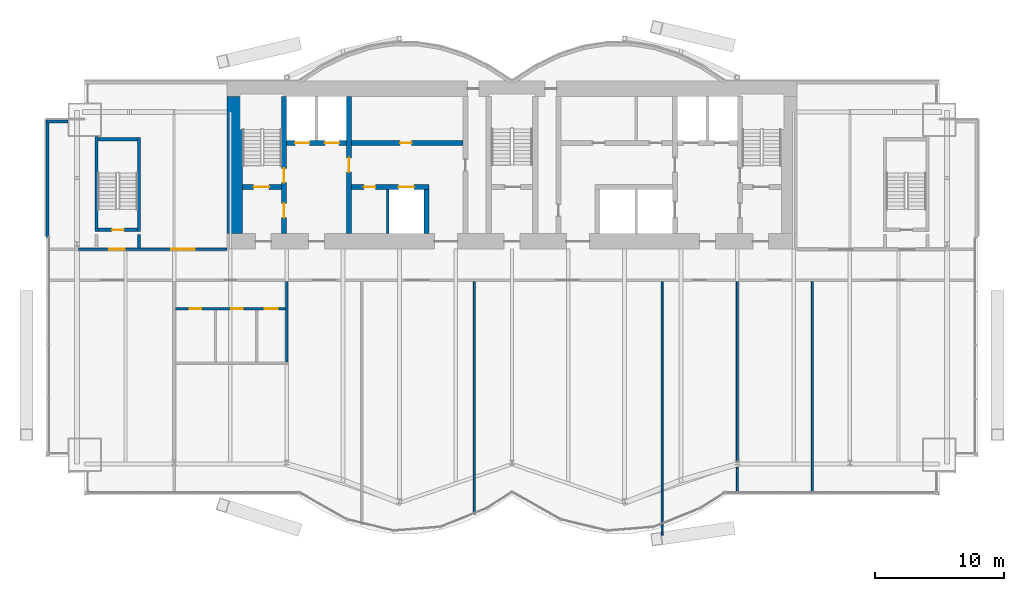
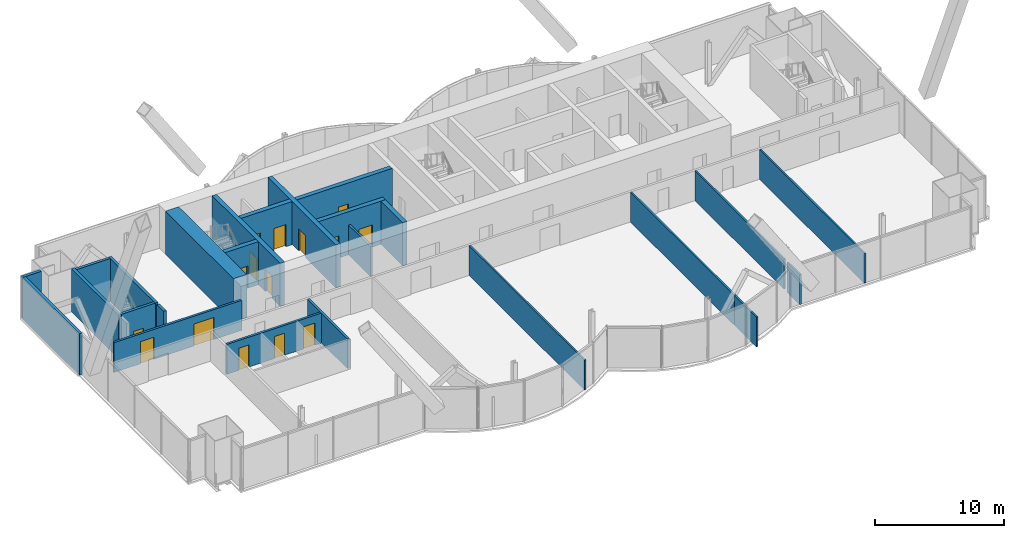
# One storey, part 18 of 24: 24 walls, 15 doors, 15 openings.
"""IFC4 building model written with IfcOpenShell, lengths in metres."""

from ifc_helpers import new_model, si_unit, direction, frame, frame_2d, origin, place, context, subcontext, project, spatial, rectangle, extrude, material, layer, layer_set, layer_usage, type_object, element, fill, save


model = new_model("IFC4")

# Units and contexts
model_context = context("Model", 3, precision=1e-05, world=origin(), true_north=direction((0.0, 1.0)))
body_context = subcontext(model_context, "Body", "Model", "MODEL_VIEW")
ifc_project = project(units=[si_unit("LENGTHUNIT", "METRE"), si_unit("AREAUNIT", "SQUARE_METRE"), si_unit("VOLUMEUNIT", "CUBIC_METRE"), si_unit("PLANEANGLEUNIT", "RADIAN"), si_unit("MASSUNIT", "GRAM", prefix="KILO")], contexts=[model_context])

# Site, building, storey
site_placement = place(None, origin())
site = spatial("IfcSite", under=ifc_project, at=site_placement, CompositionType="ELEMENT")
building_placement = place(site_placement, origin())
building = spatial("IfcBuilding", under=site, at=building_placement, Name="Bicima Exchange Tower", CompositionType="ELEMENT")
storey_placement = place(building_placement, frame((0.0, 0.0, 211.39990234375)))
storey = spatial("IfcBuildingStorey", under=building, at=storey_placement, Name="L47", CompositionType="ELEMENT", Elevation=211.39990234375)

# Wall
ifc_material_1 = material(Name="Gypsum board partition")
ifc_layer_1 = layer(ifc_material_1, 0.199951171875)
ifc_layer_set_1 = layer_set([ifc_layer_1], Name="Gypsum board partition")
wall_type_1 = type_object("IfcWallType", Name="Fire-rated gypsum partition 200 EI120", PredefinedType="PARTITIONING", material=ifc_layer_set_1)
wall_1_placement = place(storey_placement, frame((-9.60009765625, -11.800048828125, 0.0), z_axis=(0.0, 0.0, 1.0), x_axis=(0.0, 1.0, 0.0)))
element("IfcWall", 1, at=wall_1_placement, inside=storey, type_object=wall_type_1, Name="partition wall 11", PredefinedType="PARTITIONING", context=body_context, shape_type="SweptSolid", body=[
    extrude(rectangle(XDim=3.400146484375, YDim=0.199951171875, at=frame_2d((1.7001953125, 0.0))), origin(), (0.0, 0.0, 1.0), 2.840576171875),
])

# Wall, openings, doors
ifc_layer_2 = layer(ifc_material_1, 0.199951171875)
ifc_layer_set_2 = layer_set([ifc_layer_2], Name="Gypsum board partition")
wall_type_2 = type_object("IfcWallType", Name="Fire-rated gypsum partition 200 EI60", PredefinedType="PARTITIONING", material=ifc_layer_set_2)
wall_2_placement = place(storey_placement, frame((-26.0, -17.60009765625, 0.0), z_axis=(0.0, 0.0, 1.0), x_axis=(1.0, 0.0, 0.0)))
wall_2 = element("IfcWall", 2, at=wall_2_placement, inside=storey, type_object=wall_type_2, Name="partition wall 2", PredefinedType="PARTITIONING", context=body_context, shape_type="SweptSolid", body=[
    extrude(rectangle(XDim=8.5, YDim=0.199951171875, at=frame_2d((4.25, 0.0))), origin(), (0.0, 0.0, 1.0), 2.840576171875),
])
opening_1_placement = place(wall_2_placement, frame((1.10009765625, 0.0, 0.0)))
opening_1 = element("IfcOpeningElement", 3, at=opening_1_placement, cuts=wall_2, Name="Opening L47-009", PredefinedType="OPENING", context=body_context, shape_type="SweptSolid", body=[
    extrude(rectangle(XDim=0.89990234375, YDim=2.10009765625, at=frame_2d((0.449951171875, 1.050048828125))), frame((0.0, 0.11181640625, 0.0), z_axis=(0.0, -1.0, 0.0), x_axis=(1.0, 0.0, 0.0)), (0.0, 0.0, 1.0), 0.223876953125),
])
opening_2_placement = place(wall_2_placement, frame((4.300048828125, 0.0, 0.0)))
opening_2 = element("IfcOpeningElement", 4, at=opening_2_placement, cuts=wall_2, Name="Opening L47-010", PredefinedType="OPENING", context=body_context, shape_type="SweptSolid", body=[
    extrude(rectangle(XDim=0.89990234375, YDim=2.10009765625, at=frame_2d((0.449951171875, 1.050048828125))), frame((0.0, 0.11181640625, 0.0), z_axis=(0.0, -1.0, 0.0), x_axis=(1.0, 0.0, 0.0)), (0.0, 0.0, 1.0), 0.223876953125),
])
opening_3_placement = place(wall_2_placement, frame((6.89990234375, 0.0, 0.0)))
opening_3 = element("IfcOpeningElement", 5, at=opening_3_placement, cuts=wall_2, Name="Opening L47-011", PredefinedType="OPENING", context=body_context, shape_type="SweptSolid", body=[
    extrude(rectangle(XDim=1.0, YDim=2.10009765625, at=frame_2d((0.5, 1.050048828125))), frame((0.0, 0.11181640625, 0.0), z_axis=(0.0, -1.0, 0.0), x_axis=(1.0, 0.0, 0.0)), (0.0, 0.0, 1.0), 0.223876953125),
])
ifc_material_2 = material(Name="Steel fire door leaf", Category="steel")
door_type_1 = type_object("IfcDoorType", Name="Door 1000 swing FD30S", OperationType="SINGLE_SWING_LEFT", PredefinedType="DOOR", material=ifc_material_2)
door_1_placement = place(opening_3_placement, frame((1.0, 0.0, 0.0), z_axis=(0.0, 0.0, 1.0), x_axis=(-1.0, 0.0, 0.0)))
door_1 = element("IfcDoor", 6, at=door_1_placement, inside=storey, type_object=door_type_1, Name="Door", OperationType="SINGLE_SWING_RIGHT", OverallHeight=2.10009765625, OverallWidth=1.0, PredefinedType="DOOR", context=body_context, shape_type="SweptSolid", body=[
    extrude(rectangle(XDim=1.0, YDim=2.10009765625, at=frame_2d((0.5, 1.050048828125))), frame((0.0, 0.02490234375, 0.0), z_axis=(0.0, -1.0, 0.0), x_axis=(1.0, 0.0, 0.0)), (0.0, 0.0, 1.0), 0.050048828125),
])
fill(opening_3, door_1)
door_type_2 = type_object("IfcDoorType", Name="Door 900 swing FD30S", OperationType="SINGLE_SWING_LEFT", PredefinedType="DOOR", material=ifc_material_2)
door_2_placement = place(opening_1_placement, frame((0.89990234375, 0.0, 0.0), z_axis=(0.0, 0.0, 1.0), x_axis=(-1.0, 0.0, 0.0)))
door_2 = element("IfcDoor", 7, at=door_2_placement, inside=storey, type_object=door_type_2, Name="Door", OperationType="SINGLE_SWING_RIGHT", OverallHeight=2.10009765625, OverallWidth=0.89990234375, PredefinedType="DOOR", context=body_context, shape_type="SweptSolid", body=[
    extrude(rectangle(XDim=0.89990234375, YDim=2.10009765625, at=frame_2d((0.449951171875, 1.050048828125))), frame((0.0, 0.02490234375, 0.0), z_axis=(0.0, -1.0, 0.0), x_axis=(1.0, 0.0, 0.0)), (0.0, 0.0, 1.0), 0.050048828125),
])
fill(opening_1, door_2)
door_3_placement = place(opening_2_placement, frame((0.89990234375, 0.0, 0.0), z_axis=(0.0, 0.0, 1.0), x_axis=(-1.0, 0.0, 0.0)))
door_3 = element("IfcDoor", 8, at=door_3_placement, inside=storey, type_object=door_type_2, Name="Door", OperationType="SINGLE_SWING_LEFT", OverallHeight=2.10009765625, OverallWidth=0.89990234375, PredefinedType="DOOR", context=body_context, shape_type="SweptSolid", body=[
    extrude(rectangle(XDim=0.89990234375, YDim=2.10009765625, at=frame_2d((0.449951171875, 1.050048828125))), frame((0.0, 0.02490234375, 0.0), z_axis=(0.0, -1.0, 0.0), x_axis=(1.0, 0.0, 0.0)), (0.0, 0.0, 1.0), 0.050048828125),
])
fill(opening_2, door_3)

wall_3_placement = place(storey_placement, frame((-33.47998046875, -13.0, 0.0), z_axis=(0.0, 0.0, 1.0), x_axis=(1.0, 0.0, 0.0)))
wall_3 = element("IfcWall", 9, at=wall_3_placement, inside=storey, type_object=wall_type_2, Name="partition wall 5", PredefinedType="PARTITIONING", context=body_context, shape_type="SweptSolid", body=[
    extrude(rectangle(XDim=11.47998046875, YDim=0.199951171875, at=frame_2d((5.739990234375, 0.0))), origin(), (0.0, 0.0, 1.0), 2.840576171875),
])
opening_4_placement = place(wall_3_placement, frame((2.3798828125, 0.0, 0.0)))
opening_4 = element("IfcOpeningElement", 10, at=opening_4_placement, cuts=wall_3, Name="Opening L47-001", PredefinedType="OPENING", context=body_context, shape_type="SweptSolid", body=[
    extrude(rectangle(XDim=1.199951171875, YDim=2.10009765625, at=frame_2d((0.60009765625, 1.050048828125))), frame((0.0, 0.11181640625, 0.0), z_axis=(0.0, -1.0, 0.0), x_axis=(1.0, 0.0, 0.0)), (0.0, 0.0, 1.0), 0.223876953125),
])
opening_5_placement = place(wall_3_placement, frame((7.179931640625, 0.0, 0.0)))
opening_5 = element("IfcOpeningElement", 11, at=opening_5_placement, cuts=wall_3, Name="Opening L47-005", PredefinedType="OPENING", context=body_context, shape_type="SweptSolid", body=[
    extrude(rectangle(XDim=1.800048828125, YDim=2.10009765625, at=frame_2d((0.89990234375, 1.050048828125))), frame((0.0, 0.11181640625, 0.0), z_axis=(0.0, -1.0, 0.0), x_axis=(1.0, 0.0, 0.0)), (0.0, 0.0, 1.0), 0.223876953125),
])
door_type_3 = type_object("IfcDoorType", Name="Door 1200 swing FD30S", OperationType="SINGLE_SWING_LEFT", PredefinedType="DOOR", material=ifc_material_2)
door_4_placement = place(opening_4_placement, origin())
door_4 = element("IfcDoor", 12, at=door_4_placement, inside=storey, type_object=door_type_3, Name="Door", OperationType="SINGLE_SWING_LEFT", OverallHeight=2.10009765625, OverallWidth=1.199951171875, PredefinedType="DOOR", context=body_context, shape_type="SweptSolid", body=[
    extrude(rectangle(XDim=1.199951171875, YDim=2.10009765625, at=frame_2d((0.60009765625, 1.050048828125))), frame((0.0, 0.02490234375, 0.0), z_axis=(0.0, -1.0, 0.0), x_axis=(1.0, 0.0, 0.0)), (0.0, 0.0, 1.0), 0.050048828125),
])
fill(opening_4, door_4)
door_type_4 = type_object("IfcDoorType", Name="Door 1800 double swing FD30S", OperationType="DOUBLE_DOOR_SINGLE_SWING", PredefinedType="DOOR", material=ifc_material_2)
door_5_placement = place(opening_5_placement, origin())
door_5 = element("IfcDoor", 13, at=door_5_placement, inside=storey, type_object=door_type_4, Name="Door", OperationType="SINGLE_SWING_LEFT", OverallHeight=2.10009765625, OverallWidth=1.800048828125, PredefinedType="DOOR", context=body_context, shape_type="SweptSolid", body=[
    extrude(rectangle(XDim=1.800048828125, YDim=2.10009765625, at=frame_2d((0.89990234375, 1.050048828125))), frame((0.0, 0.02490234375, 0.0), z_axis=(0.0, -1.0, 0.0), x_axis=(1.0, 0.0, 0.0)), (0.0, 0.0, 1.0), 0.050048828125),
])
fill(opening_5, door_5)

# Walls
wall_4_placement = place(storey_placement, frame((-17.39990234375, -21.72509765625, 0.0), z_axis=(0.0, 0.0, 1.0), x_axis=(0.0, 1.0, 0.0)))
element("IfcWall", 14, at=wall_4_placement, inside=storey, type_object=wall_type_2, Name="partition wall 17", PredefinedType="PARTITIONING", context=body_context, shape_type="SweptSolid", body=[
    extrude(rectangle(XDim=6.22509765625, YDim=0.199951171875, at=frame_2d((3.112548828125, 0.0))), origin(), (0.0, 0.0, 1.0), 2.840576171875),
])
ifc_layer_3 = layer(ifc_material_1, 0.14990234375)
ifc_layer_set_3 = layer_set([ifc_layer_3], Name="Gypsum board partition")
wall_type_3 = type_object("IfcWallType", Name="Gypsum partition 150", PredefinedType="PARTITIONING", material=ifc_layer_set_3)
wall_5_placement = place(storey_placement, frame((-2.89990234375, -33.4599609375, 0.0), z_axis=(0.0, 0.0, 1.0), x_axis=(0.0, 1.0, 0.0)))
element("IfcWall", 15, at=wall_5_placement, inside=storey, type_object=wall_type_3, Name="partition wall 20", PredefinedType="PARTITIONING", context=body_context, shape_type="SweptSolid", body=[
    extrude(rectangle(XDim=17.9599609375, YDim=0.14990234375, at=frame_2d((8.97998046875, 0.0))), origin(), (0.0, 0.0, 1.0), 2.840576171875),
])
wall_6_placement = place(storey_placement, frame((11.60009765625, -35.09619140625, 0.0), z_axis=(0.0, 0.0, 1.0), x_axis=(0.0, 1.0, 0.0)))
element("IfcWall", 16, at=wall_6_placement, inside=storey, type_object=wall_type_3, Name="partition wall 21", PredefinedType="PARTITIONING", context=body_context, shape_type="SweptSolid", body=[
    extrude(rectangle(XDim=3.425048828125, YDim=0.14990234375, at=frame_2d((1.71240234375, 0.0))), origin(), (0.0, 0.0, 1.0), 2.840576171875),
])
wall_7_placement = place(storey_placement, frame((11.60009765625, -31.671142578125, 0.0), z_axis=(0.0, 0.0, 1.0), x_axis=(0.0, 1.0, 0.0)))
element("IfcWall", 17, at=wall_7_placement, inside=storey, type_object=wall_type_3, Name="partition wall 22", PredefinedType="PARTITIONING", context=body_context, shape_type="SweptSolid", body=[
    extrude(rectangle(XDim=16.171142578125, YDim=0.14990234375, at=frame_2d((8.08544921875, 0.0))), origin(), (0.0, 0.0, 1.0), 2.840576171875),
])
wall_8_placement = place(storey_placement, frame((17.39990234375, -31.7900390625, 0.0), z_axis=(0.0, 0.0, 1.0), x_axis=(0.0, 1.0, 0.0)))
element("IfcWall", 18, at=wall_8_placement, inside=storey, type_object=wall_type_3, Name="partition wall 23", PredefinedType="PARTITIONING", context=body_context, shape_type="SweptSolid", body=[
    extrude(rectangle(XDim=1.956787109375, YDim=0.14990234375, at=frame_2d((0.978515625, 0.0))), origin(), (0.0, 0.0, 1.0), 2.840576171875),
])
wall_9_placement = place(storey_placement, frame((17.39990234375, -29.358642578125, 0.0), z_axis=(0.0, 0.0, 1.0), x_axis=(0.0, 1.0, 0.0)))
element("IfcWall", 19, at=wall_9_placement, inside=storey, type_object=wall_type_3, Name="partition wall 24", PredefinedType="PARTITIONING", context=body_context, shape_type="SweptSolid", body=[
    extrude(rectangle(XDim=13.858642578125, YDim=0.14990234375, at=frame_2d((6.92919921875, 0.0))), origin(), (0.0, 0.0, 1.0), 2.840576171875),
])
wall_10_placement = place(storey_placement, frame((23.199951171875, -31.7900390625, 0.0), z_axis=(0.0, 0.0, 1.0), x_axis=(0.0, 1.0, 0.0)))
element("IfcWall", 20, at=wall_10_placement, inside=storey, type_object=wall_type_3, Name="partition wall 25", PredefinedType="PARTITIONING", context=body_context, shape_type="SweptSolid", body=[
    extrude(rectangle(XDim=16.2900390625, YDim=0.14990234375, at=frame_2d((8.14501953125, 0.0))), origin(), (0.0, 0.0, 1.0), 2.840576171875),
])
ifc_material_3 = material(Name="Concrete C50/60", Category="concrete")
ifc_layer_4 = layer(ifc_material_3, 1.199951171875)
ifc_layer_set_4 = layer_set([ifc_layer_4], Name="Concrete C50/60")
wall_type_4 = type_object("IfcWallType", Name="RC core wall 1200 C50/60", PredefinedType="SHEAR", material=ifc_layer_set_4)
wall_11_placement = place(storey_placement, frame((-21.39990234375, -11.800048828125, 0.0), z_axis=(0.0, 0.0, 1.0), x_axis=(0.0, 1.0, 0.0)))
element("IfcWall", 21, at=wall_11_placement, inside=storey, type_object=wall_type_4, Name="Core wall west", PredefinedType="SHEAR", context=body_context, shape_type="SweptSolid", body=[
    extrude(rectangle(XDim=10.60009765625, YDim=1.199951171875, at=frame_2d((5.300048828125, 0.0))), origin(), (0.0, 0.0, 1.0), 4.10009765625),
])
ifc_layer_5 = layer(ifc_material_3, 0.25)
ifc_layer_set_5 = layer_set([ifc_layer_5], Name="Concrete C50/60")
wall_type_5 = type_object("IfcWallType", Name="RC core wall 250 C50/60", PredefinedType="SHEAR", material=ifc_layer_set_5)
wall_12_placement = place(storey_placement, frame((-28.800048828125, -12.89990234375, 0.0), z_axis=(0.0, 0.0, 1.0), x_axis=(0.0, 1.0, 0.0)))
element("IfcWall", 22, at=wall_12_placement, inside=storey, type_object=wall_type_5, Name="stair wall 13", PredefinedType="SHEAR", context=body_context, shape_type="SweptSolid", body=[
    extrude(rectangle(XDim=1.0498046875, YDim=0.25, at=frame_2d((0.52490234375, 0.0))), origin(), (0.0, 0.0, 1.0), 4.10009765625),
])

# Wall, opening, door
ifc_layer_6 = layer(ifc_material_3, 0.39990234375)
ifc_layer_set_6 = layer_set([ifc_layer_6], Name="Concrete C50/60")
wall_type_6 = type_object("IfcWallType", Name="RC core wall 400 C50/60", PredefinedType="SHEAR", material=ifc_layer_set_6)
wall_13_placement = place(storey_placement, frame((-20.800048828125, -8.199951171875, 0.0), z_axis=(0.0, 0.0, 1.0), x_axis=(1.0, 0.0, 0.0)))
wall_13 = element("IfcWall", 23, at=wall_13_placement, inside=storey, type_object=wall_type_6, Name="stair wall 1", PredefinedType="SHEAR", context=body_context, shape_type="SweptSolid", body=[
    extrude(rectangle(XDim=3.0, YDim=0.39990234375, at=frame_2d((1.5, 0.0))), origin(), (0.0, 0.0, 1.0), 4.10009765625),
])
opening_6_placement = place(wall_13_placement, frame((0.85009765625, 0.0, 0.0)))
opening_6 = element("IfcOpeningElement", 24, at=opening_6_placement, cuts=wall_13, Name="Opening L47-C01", PredefinedType="OPENING", context=body_context, shape_type="SweptSolid", body=[
    extrude(rectangle(XDim=1.199951171875, YDim=2.10009765625, at=frame_2d((0.60009765625, 1.050048828125))), frame((0.0, 0.2119140625, 0.0), z_axis=(0.0, -1.0, 0.0), x_axis=(1.0, 0.0, 0.0)), (0.0, 0.0, 1.0), 0.423828125),
])
door_type_5 = type_object("IfcDoorType", Name="Door 1200 swing FD60S", OperationType="SINGLE_SWING_LEFT", PredefinedType="DOOR", material=ifc_material_2)
door_6_placement = place(opening_6_placement, origin())
door_6 = element("IfcDoor", 25, at=door_6_placement, inside=storey, type_object=door_type_5, Name="Core door", OperationType="SINGLE_SWING_LEFT", OverallHeight=2.10009765625, OverallWidth=1.199951171875, PredefinedType="DOOR", context=body_context, shape_type="SweptSolid", body=[
    extrude(rectangle(XDim=1.199951171875, YDim=2.10009765625, at=frame_2d((0.60009765625, 1.050048828125))), frame((0.0, 0.02490234375, 0.0), z_axis=(0.0, -1.0, 0.0), x_axis=(1.0, 0.0, 0.0)), (0.0, 0.0, 1.0), 0.050048828125),
])
fill(opening_6, door_6)

# Wall, openings, doors
wall_14_placement = place(storey_placement, frame((-12.39990234375, -8.199951171875, 0.0), z_axis=(0.0, 0.0, 1.0), x_axis=(1.0, 0.0, 0.0)))
wall_14 = element("IfcWall", 26, at=wall_14_placement, inside=storey, type_object=wall_type_6, Name="shear wall 2", PredefinedType="SHEAR", context=body_context, shape_type="SweptSolid", body=[
    extrude(rectangle(XDim=6.0, YDim=0.39990234375, at=frame_2d((3.0, 0.0))), origin(), (0.0, 0.0, 1.0), 4.10009765625),
])
opening_7_placement = place(wall_14_placement, frame((3.64990234375, 0.0, 0.0)))
opening_7 = element("IfcOpeningElement", 27, at=opening_7_placement, cuts=wall_14, Name="Opening LD-MB1-L47", PredefinedType="OPENING", context=body_context, shape_type="SweptSolid", body=[
    extrude(rectangle(XDim=1.199951171875, YDim=2.10009765625, at=frame_2d((0.60009765625, 1.050048828125))), frame((0.0, 0.2119140625, 0.0), z_axis=(0.0, -1.0, 0.0), x_axis=(1.0, 0.0, 0.0)), (0.0, 0.0, 1.0), 0.423828125),
])
opening_8_placement = place(wall_14_placement, frame((0.949951171875, 0.0, 0.0)))
opening_8 = element("IfcOpeningElement", 28, at=opening_8_placement, cuts=wall_14, Name="Opening L47-C15", PredefinedType="OPENING", context=body_context, shape_type="SweptSolid", body=[
    extrude(rectangle(XDim=0.89990234375, YDim=2.10009765625, at=frame_2d((0.449951171875, 1.050048828125))), frame((0.0, 0.2119140625, 0.0), z_axis=(0.0, -1.0, 0.0), x_axis=(1.0, 0.0, 0.0)), (0.0, 0.0, 1.0), 0.423828125),
])
door_7_placement = place(opening_8_placement, frame((0.89990234375, 0.0, 0.0), z_axis=(0.0, 0.0, 1.0), x_axis=(-1.0, 0.0, 0.0)))
door_7 = element("IfcDoor", 29, at=door_7_placement, inside=storey, type_object=door_type_2, Name="Core door", OperationType="SINGLE_SWING_RIGHT", OverallHeight=2.10009765625, OverallWidth=0.89990234375, PredefinedType="DOOR", context=body_context, shape_type="SweptSolid", body=[
    extrude(rectangle(XDim=0.89990234375, YDim=2.10009765625, at=frame_2d((0.449951171875, 1.050048828125))), frame((0.0, 0.02490234375, 0.0), z_axis=(0.0, -1.0, 0.0), x_axis=(1.0, 0.0, 0.0)), (0.0, 0.0, 1.0), 0.050048828125),
])
fill(opening_8, door_7)
ifc_material_4 = material(Name="Stainless steel", Category="steel")
door_type_6 = type_object("IfcDoorType", Name="Lift landing door 1200 sliding", OperationType="DOUBLE_DOOR_SLIDING", PredefinedType="DOOR", material=ifc_material_4)
door_8_placement = place(opening_7_placement, origin())
door_8 = element("IfcDoor", 30, at=door_8_placement, inside=storey, type_object=door_type_6, Name="Lift landing door MB1", OperationType="DOUBLE_DOOR_SLIDING", OverallHeight=2.10009765625, OverallWidth=1.199951171875, PredefinedType="DOOR", context=body_context, shape_type="SweptSolid", body=[
    extrude(rectangle(XDim=1.199951171875, YDim=2.10009765625, at=frame_2d((0.60009765625, 1.050048828125))), frame((0.0, 0.02490234375, 0.0), z_axis=(0.0, -1.0, 0.0), x_axis=(1.0, 0.0, 0.0)), (0.0, 0.0, 1.0), 0.050048828125),
])
fill(opening_7, door_8)

wall_15_placement = place(storey_placement, frame((-17.39990234375, -4.800048828125, 0.0), z_axis=(0.0, 0.0, 1.0), x_axis=(1.0, 0.0, 0.0)))
wall_15 = element("IfcWall", 31, at=wall_15_placement, inside=storey, type_object=wall_type_6, Name="shear wall 6", PredefinedType="SHEAR", context=body_context, shape_type="SweptSolid", body=[
    extrude(rectangle(XDim=13.599853515625, YDim=0.39990234375, at=frame_2d((6.7998046875, 0.0))), origin(), (0.0, 0.0, 1.0), 4.10009765625),
])
opening_9_placement = place(wall_15_placement, frame((0.64990234375, 0.0, 0.0)))
opening_9 = element("IfcOpeningElement", 32, at=opening_9_placement, cuts=wall_15, Name="Opening LD-FF1-L47", PredefinedType="OPENING", context=body_context, shape_type="SweptSolid", body=[
    extrude(rectangle(XDim=1.10009765625, YDim=2.10009765625, at=frame_2d((0.550048828125, 1.050048828125))), frame((0.0, 0.2119140625, 0.0), z_axis=(0.0, -1.0, 0.0), x_axis=(1.0, 0.0, 0.0)), (0.0, 0.0, 1.0), 0.423828125),
])
opening_10_placement = place(wall_15_placement, frame((2.949951171875, 0.0, 0.0)))
opening_10 = element("IfcOpeningElement", 33, at=opening_10_placement, cuts=wall_15, Name="Opening LD-FF3-L47", PredefinedType="OPENING", context=body_context, shape_type="SweptSolid", body=[
    extrude(rectangle(XDim=1.10009765625, YDim=2.10009765625, at=frame_2d((0.550048828125, 1.050048828125))), frame((0.0, 0.2119140625, 0.0), z_axis=(0.0, -1.0, 0.0), x_axis=(1.0, 0.0, 0.0)), (0.0, 0.0, 1.0), 0.423828125),
])
opening_11_placement = place(wall_15_placement, frame((8.75, 0.0, 0.0)))
opening_11 = element("IfcOpeningElement", 34, at=opening_11_placement, cuts=wall_15, Name="Opening L47-C12", PredefinedType="OPENING", context=body_context, shape_type="SweptSolid", body=[
    extrude(rectangle(XDim=0.89990234375, YDim=2.10009765625, at=frame_2d((0.449951171875, 1.050048828125))), frame((0.0, 0.2119140625, 0.0), z_axis=(0.0, -1.0, 0.0), x_axis=(1.0, 0.0, 0.0)), (0.0, 0.0, 1.0), 0.423828125),
])
door_9_placement = place(opening_11_placement, origin())
door_9 = element("IfcDoor", 35, at=door_9_placement, inside=storey, type_object=door_type_2, Name="Core door", OperationType="SINGLE_SWING_RIGHT", OverallHeight=2.10009765625, OverallWidth=0.89990234375, PredefinedType="DOOR", context=body_context, shape_type="SweptSolid", body=[
    extrude(rectangle(XDim=0.89990234375, YDim=2.10009765625, at=frame_2d((0.449951171875, 1.050048828125))), frame((0.0, 0.02490234375, 0.0), z_axis=(0.0, -1.0, 0.0), x_axis=(1.0, 0.0, 0.0)), (0.0, 0.0, 1.0), 0.050048828125),
])
fill(opening_11, door_9)
door_type_7 = type_object("IfcDoorType", Name="Lift landing door 1100 sliding", OperationType="DOUBLE_DOOR_SLIDING", PredefinedType="DOOR", material=ifc_material_4)
door_10_placement = place(opening_9_placement, origin())
door_10 = element("IfcDoor", 36, at=door_10_placement, inside=storey, type_object=door_type_7, Name="Lift landing door FF1", OperationType="DOUBLE_DOOR_SLIDING", OverallHeight=2.10009765625, OverallWidth=1.10009765625, PredefinedType="DOOR", context=body_context, shape_type="SweptSolid", body=[
    extrude(rectangle(XDim=1.10009765625, YDim=2.10009765625, at=frame_2d((0.550048828125, 1.050048828125))), frame((0.0, 0.02490234375, 0.0), z_axis=(0.0, -1.0, 0.0), x_axis=(1.0, 0.0, 0.0)), (0.0, 0.0, 1.0), 0.050048828125),
])
fill(opening_9, door_10)
door_11_placement = place(opening_10_placement, origin())
door_11 = element("IfcDoor", 37, at=door_11_placement, inside=storey, type_object=door_type_7, Name="Lift landing door FF3", OperationType="DOUBLE_DOOR_SLIDING", OverallHeight=2.10009765625, OverallWidth=1.10009765625, PredefinedType="DOOR", context=body_context, shape_type="SweptSolid", body=[
    extrude(rectangle(XDim=1.10009765625, YDim=2.10009765625, at=frame_2d((0.550048828125, 1.050048828125))), frame((0.0, 0.02490234375, 0.0), z_axis=(0.0, -1.0, 0.0), x_axis=(1.0, 0.0, 0.0)), (0.0, 0.0, 1.0), 0.050048828125),
])
fill(opening_10, door_11)

wall_16_placement = place(storey_placement, frame((-17.60009765625, -11.800048828125, 0.0), z_axis=(0.0, 0.0, 1.0), x_axis=(0.0, 1.0, 0.0)))
wall_16 = element("IfcWall", 38, at=wall_16_placement, inside=storey, type_object=wall_type_6, Name="stair wall 8", PredefinedType="SHEAR", context=body_context, shape_type="SweptSolid", body=[
    extrude(rectangle(XDim=10.60009765625, YDim=0.39990234375, at=frame_2d((5.300048828125, 0.0))), origin(), (0.0, 0.0, 1.0), 4.10009765625),
])
opening_12_placement = place(wall_16_placement, frame((1.25, 0.0, 0.0)))
opening_12 = element("IfcOpeningElement", 39, at=opening_12_placement, cuts=wall_16, Name="Opening L47-C02", PredefinedType="OPENING", context=body_context, shape_type="SweptSolid", body=[
    extrude(rectangle(XDim=1.10009765625, YDim=2.10009765625, at=frame_2d((0.550048828125, 1.050048828125))), frame((0.0, 0.2119140625, 0.0), z_axis=(0.0, -1.0, 0.0), x_axis=(1.0, 0.0, 0.0)), (0.0, 0.0, 1.0), 0.423828125),
])
opening_13_placement = place(wall_16_placement, frame((3.949951171875, 0.0, 0.0)))
opening_13 = element("IfcOpeningElement", 40, at=opening_13_placement, cuts=wall_16, Name="Opening L47-C06", PredefinedType="OPENING", context=body_context, shape_type="SweptSolid", body=[
    extrude(rectangle(XDim=1.10009765625, YDim=2.10009765625, at=frame_2d((0.550048828125, 1.050048828125))), frame((0.0, 0.2119140625, 0.0), z_axis=(0.0, -1.0, 0.0), x_axis=(1.0, 0.0, 0.0)), (0.0, 0.0, 1.0), 0.423828125),
])
door_type_8 = type_object("IfcDoorType", Name="Door 1100 swing FD60S", OperationType="SINGLE_SWING_LEFT", PredefinedType="DOOR", material=ifc_material_2)
door_12_placement = place(opening_12_placement, frame((1.10009765625, 0.0, 0.0), z_axis=(0.0, 0.0, 1.0), x_axis=(-1.0, 0.0, 0.0)))
door_12 = element("IfcDoor", 41, at=door_12_placement, inside=storey, type_object=door_type_8, Name="Core door", OperationType="SINGLE_SWING_LEFT", OverallHeight=2.10009765625, OverallWidth=1.10009765625, PredefinedType="DOOR", context=body_context, shape_type="SweptSolid", body=[
    extrude(rectangle(XDim=1.10009765625, YDim=2.10009765625, at=frame_2d((0.550048828125, 1.050048828125))), frame((0.0, 0.02490234375, 0.0), z_axis=(0.0, -1.0, 0.0), x_axis=(1.0, 0.0, 0.0)), (0.0, 0.0, 1.0), 0.050048828125),
])
fill(opening_12, door_12)
door_13_placement = place(opening_13_placement, frame((1.10009765625, 0.0, 0.0), z_axis=(0.0, 0.0, 1.0), x_axis=(-1.0, 0.0, 0.0)))
door_13 = element("IfcDoor", 42, at=door_13_placement, inside=storey, type_object=door_type_8, Name="Core door", OperationType="SINGLE_SWING_LEFT", OverallHeight=2.10009765625, OverallWidth=1.10009765625, PredefinedType="DOOR", context=body_context, shape_type="SweptSolid", body=[
    extrude(rectangle(XDim=1.10009765625, YDim=2.10009765625, at=frame_2d((0.550048828125, 1.050048828125))), frame((0.0, 0.02490234375, 0.0), z_axis=(0.0, -1.0, 0.0), x_axis=(1.0, 0.0, 0.0)), (0.0, 0.0, 1.0), 0.050048828125),
])
fill(opening_13, door_13)

# Wall, opening, door
wall_17_placement = place(storey_placement, frame((-12.60009765625, -11.800048828125, 0.0), z_axis=(0.0, 0.0, 1.0), x_axis=(0.0, 1.0, 0.0)))
wall_17 = element("IfcWall", 43, at=wall_17_placement, inside=storey, type_object=wall_type_6, Name="shear wall 10", PredefinedType="SHEAR", context=body_context, shape_type="SweptSolid", body=[
    extrude(rectangle(XDim=10.60009765625, YDim=0.39990234375, at=frame_2d((5.300048828125, 0.0))), origin(), (0.0, 0.0, 1.0), 4.10009765625),
])
opening_14_placement = place(wall_17_placement, frame((4.75, 0.0, 0.0)))
opening_14 = element("IfcOpeningElement", 44, at=opening_14_placement, cuts=wall_17, Name="Opening L47-C07", PredefinedType="OPENING", context=body_context, shape_type="SweptSolid", body=[
    extrude(rectangle(XDim=1.10009765625, YDim=2.10009765625, at=frame_2d((0.550048828125, 1.050048828125))), frame((0.0, 0.2119140625, 0.0), z_axis=(0.0, -1.0, 0.0), x_axis=(1.0, 0.0, 0.0)), (0.0, 0.0, 1.0), 0.423828125),
])
door_14_placement = place(opening_14_placement, origin())
door_14 = element("IfcDoor", 45, at=door_14_placement, inside=storey, type_object=door_type_8, Name="Core door", OperationType="SINGLE_SWING_LEFT", OverallHeight=2.10009765625, OverallWidth=1.10009765625, PredefinedType="DOOR", context=body_context, shape_type="SweptSolid", body=[
    extrude(rectangle(XDim=1.10009765625, YDim=2.10009765625, at=frame_2d((0.550048828125, 1.050048828125))), frame((0.0, 0.02490234375, 0.0), z_axis=(0.0, -1.0, 0.0), x_axis=(1.0, 0.0, 0.0)), (0.0, 0.0, 1.0), 0.050048828125),
])
fill(opening_14, door_14)

# Walls
wall_18_placement = place(storey_placement, frame((-6.60009765625, -11.800048828125, 0.0), z_axis=(0.0, 0.0, 1.0), x_axis=(0.0, 1.0, 0.0)))
element("IfcWall", 46, at=wall_18_placement, inside=storey, type_object=wall_type_6, Name="shear wall 12", PredefinedType="SHEAR", context=body_context, shape_type="SweptSolid", body=[
    extrude(rectangle(XDim=3.400146484375, YDim=0.39990234375, at=frame_2d((1.7001953125, 0.0))), origin(), (0.0, 0.0, 1.0), 4.10009765625),
])
ifc_layer_7 = layer(ifc_material_3, 0.25)
ifc_layer_set_7 = layer_set([ifc_layer_7], Name="Concrete C50/60")
wall_type_7 = type_object("IfcWallType", Name="RC stair enclosure wall 250 C50/60", PredefinedType="SHEAR", material=ifc_layer_set_7)
wall_19_placement = place(storey_placement, frame((-32.10009765625, -11.625, 0.0), z_axis=(0.0, 0.0, 1.0), x_axis=(0.0, 1.0, 0.0)))
element("IfcWall", 47, at=wall_19_placement, inside=storey, type_object=wall_type_7, Name="West end exit stair wall W", PredefinedType="SHEAR", context=body_context, shape_type="SweptSolid", body=[
    extrude(rectangle(XDim=7.324951171875, YDim=0.25, at=frame_2d((3.66259765625, 0.0))), origin(), (0.0, 0.0, 1.0), 4.10009765625),
])
wall_20_placement = place(storey_placement, frame((-28.800048828125, -11.625, 0.0), z_axis=(0.0, 0.0, 1.0), x_axis=(0.0, 1.0, 0.0)))
element("IfcWall", 48, at=wall_20_placement, inside=storey, type_object=wall_type_7, Name="West end exit stair wall E", PredefinedType="SHEAR", context=body_context, shape_type="SweptSolid", body=[
    extrude(rectangle(XDim=7.25, YDim=0.25, at=frame_2d((3.625, 0.0))), origin(), (0.0, 0.0, 1.0), 4.10009765625),
])

# Wall, opening, door
wall_21_placement = place(storey_placement, frame((-31.97509765625, -11.5, 0.0), z_axis=(0.0, 0.0, 1.0), x_axis=(1.0, 0.0, 0.0)))
wall_21 = element("IfcWall", 49, at=wall_21_placement, inside=storey, type_object=wall_type_7, Name="West end exit stair wall S", PredefinedType="SHEAR", context=body_context, shape_type="SweptSolid", body=[
    extrude(rectangle(XDim=3.050048828125, YDim=0.25, at=frame_2d((1.52490234375, 0.0))), origin(), (0.0, 0.0, 1.0), 4.10009765625),
])
opening_15_placement = place(wall_21_placement, frame((1.10009765625, 0.0, 0.0)))
opening_15 = element("IfcOpeningElement", 50, at=opening_15_placement, cuts=wall_21, Name="Opening L47-002", PredefinedType="OPENING", context=body_context, shape_type="SweptSolid", body=[
    extrude(rectangle(XDim=0.89990234375, YDim=2.10009765625, at=frame_2d((0.449951171875, 1.050048828125))), frame((0.0, 0.136962890625, 0.0), z_axis=(0.0, -1.0, 0.0), x_axis=(1.0, 0.0, 0.0)), (0.0, 0.0, 1.0), 0.27392578125),
])
door_type_9 = type_object("IfcDoorType", Name="Door 900 swing FD60S", OperationType="SINGLE_SWING_LEFT", PredefinedType="DOOR", material=ifc_material_2)
door_15_placement = place(opening_15_placement, origin())
door_15 = element("IfcDoor", 51, at=door_15_placement, inside=storey, type_object=door_type_9, Name="Door", OperationType="SINGLE_SWING_LEFT", OverallHeight=2.10009765625, OverallWidth=0.89990234375, PredefinedType="DOOR", context=body_context, shape_type="SweptSolid", body=[
    extrude(rectangle(XDim=0.89990234375, YDim=2.10009765625, at=frame_2d((0.449951171875, 1.050048828125))), frame((0.0, 0.02490234375, 0.0), z_axis=(0.0, -1.0, 0.0), x_axis=(1.0, 0.0, 0.0)), (0.0, 0.0, 1.0), 0.050048828125),
])
fill(opening_15, door_15)

# Walls
wall_22_placement = place(storey_placement, frame((-31.97509765625, -4.5, 0.0), z_axis=(0.0, 0.0, 1.0), x_axis=(1.0, 0.0, 0.0)))
element("IfcWall", 52, at=wall_22_placement, inside=storey, type_object=wall_type_7, Name="West end exit stair wall N", PredefinedType="SHEAR", context=body_context, shape_type="SweptSolid", body=[
    extrude(rectangle(XDim=3.050048828125, YDim=0.25, at=frame_2d((1.52490234375, 0.0))), origin(), (0.0, 0.0, 1.0), 4.10009765625),
])
ifc_material_5 = material(Name="Concrete C40/50", Category="concrete")
ifc_layer_8 = layer(ifc_material_5, 0.25)
ifc_layer_set_8 = layer_set([ifc_layer_8], Name="Concrete C40/50")
ifc_layer_usage = layer_usage(ifc_layer_set_8, "AXIS2", "POSITIVE", -0.125)
wall_type_8 = type_object("IfcWallType", Name="Rear backup wall 250", PredefinedType="STANDARD", material=ifc_layer_set_8)
wall_23_placement = place(storey_placement, frame((-34.300048828125, -3.125, 0.0), z_axis=(0.0, 0.0, 1.0), x_axis=(-1.0, 0.0, 0.0)))
element("IfcWall", 53, at=wall_23_placement, inside=storey, type_object=wall_type_8, material=ifc_layer_usage, Name="Rear backup wall L47 22", PredefinedType="STANDARD", context=body_context, shape_type="SweptSolid", body=[
    extrude(rectangle(XDim=1.699951171875, YDim=0.25, at=frame_2d((0.85009765625, 0.0))), origin(), (0.0, 0.0, 1.0), 3.9501953125),
])
wall_24_placement = place(storey_placement, frame((-35.875, -3.0, 0.0), z_axis=(0.0, 0.0, 1.0), x_axis=(0.0, -1.0, 0.0)))
element("IfcWall", 54, at=wall_24_placement, inside=storey, type_object=wall_type_8, material=ifc_layer_usage, Name="Rear backup wall L47 23", PredefinedType="STANDARD", context=body_context, shape_type="SweptSolid", body=[
    extrude(rectangle(XDim=9.090087890625, YDim=0.25, at=frame_2d((4.544921875, 0.0))), origin(), (0.0, 0.0, 1.0), 3.9501953125),
])

save(model, "model.ifc")
